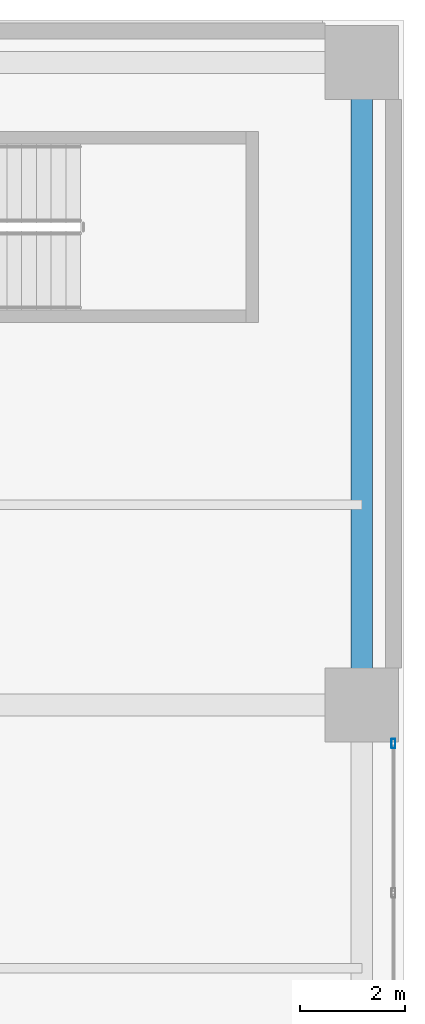
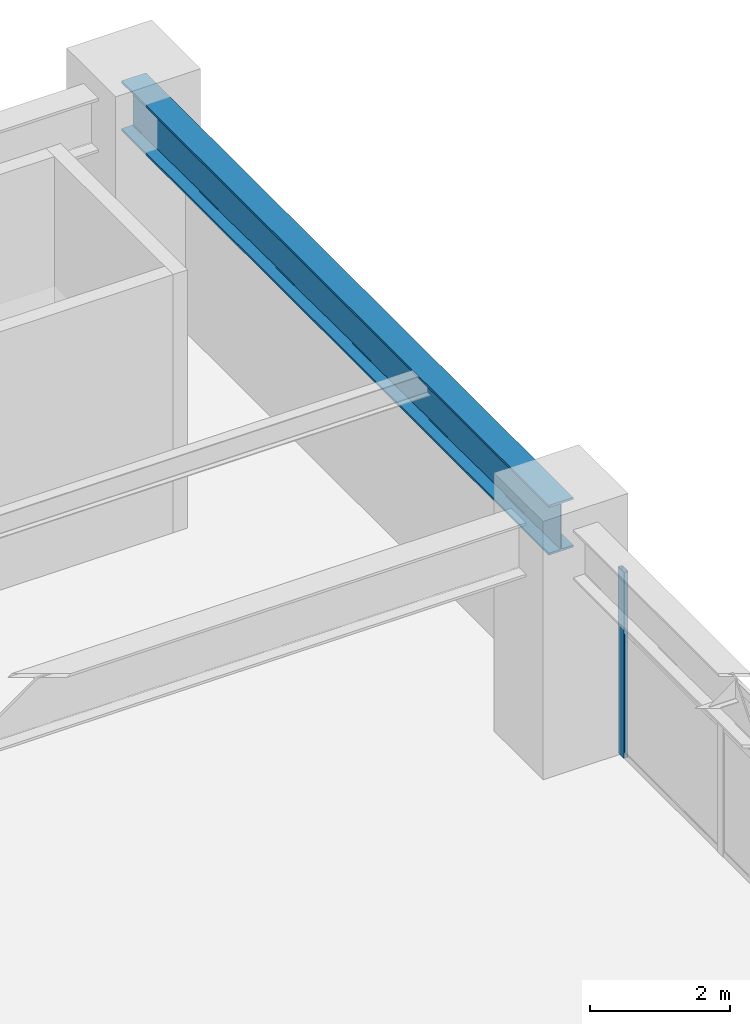
# One storey, part 18 of 28: 1 beam, 1 member, 1 element without a shape of its own.
"""IFC4 building model written with IfcOpenShell, lengths in metres."""

from ifc_helpers import new_model, si_unit, direction, frame, origin, origin_2d, place, context, subcontext, project, spatial, hollow_rectangle, i_section, extrude, material, layer, layer_set, material_profile, profile_set, type_object, element, aggregate, save


model = new_model("IFC4")

# Units and contexts
model_context = context("Model", 3, precision=1e-05, world=origin(), true_north=direction((0.0, 1.0)))
body_context = subcontext(model_context, "Body", "Model", "MODEL_VIEW")
ifc_project = project(units=[si_unit("LENGTHUNIT", "METRE"), si_unit("AREAUNIT", "SQUARE_METRE"), si_unit("VOLUMEUNIT", "CUBIC_METRE"), si_unit("PLANEANGLEUNIT", "RADIAN"), si_unit("MASSUNIT", "GRAM", prefix="KILO")], contexts=[model_context])

# Site, building, storey
site_placement = place(None, origin())
site = spatial("IfcSite", under=ifc_project, at=site_placement, CompositionType="ELEMENT")
building_placement = place(site_placement, origin())
building = spatial("IfcBuilding", under=site, at=building_placement, Name="Soratama Intermodal Tower", CompositionType="ELEMENT")
storey_placement = place(building_placement, frame((0.0, 0.0, 16.199951171875)))
storey = spatial("IfcBuildingStorey", under=building, at=storey_placement, Name="L03", CompositionType="ELEMENT", Elevation=16.199951171875)

# Beam
ifc_material_1 = material(Name="Structural steel ASTM A992 Grade 50", Category="steel")
ifc_material_profile_1 = material_profile(ifc_material_1, i_section(OverallWidth=0.403076171875, OverallDepth=0.867919921875, WebThickness=0.02099609375, FlangeThickness=0.03564453125, FilletRadius=0.01806640625, at=origin_2d()), Name="W33X241")
ifc_profile_set_1 = profile_set([ifc_material_profile_1], Name="Structural steel ASTM A992 Grade 50")
beam_type = type_object("IfcBeamType", Name="BM-POD-EXT-W33", PredefinedType="BEAM", material=ifc_profile_set_1)
beam_placement = place(storey_placement, frame((83.199951171875, 35.0, 3.74609375), z_axis=(0.0, 1.0, 0.0), x_axis=(-1.0, 0.0, 0.0)))
element("IfcBeam", 1, at=beam_placement, inside=storey, type_object=beam_type, Name="L03 Station Girder Y4-4", PredefinedType="BEAM", context=body_context, shape_type="SweptSolid", body=[
    extrude(i_section(OverallWidth=0.403076171875, OverallDepth=0.867919921875, WebThickness=0.02099609375, FlangeThickness=0.03564453125, FilletRadius=0.01806640625, at=origin_2d()), origin(), (0.0, 0.0, 1.0), 12.199951171875),
])

# Curtain wall, member
ifc_material_2 = material(Name="Double-glazed aluminium curtain wall", Category="aluminium")
ifc_layer = layer(ifc_material_2, 0.159912109375)
ifc_layer_set = layer_set([ifc_layer], Name="Double-glazed aluminium curtain wall")
curtain_wall_type = type_object("IfcCurtainWallType", Name="CW-SYS-1", PredefinedType="NOTDEFINED", material=ifc_layer_set)
curtain_wall_placement = place(storey_placement, origin())
curtain_wall = element("IfcCurtainWall", 2, at=curtain_wall_placement, inside=storey, type_object=curtain_wall_type, Name="L03 Station Curtain Wall E2", PredefinedType="NOTDEFINED")
ifc_material_3 = material(Name="Anodised aluminium AA 6063-T6", Category="aluminium")
ifc_material_profile_2 = material_profile(ifc_material_3, hollow_rectangle(XDim=0.074951171875, YDim=0.179931640625, WallThickness=0.006103515625, InnerFilletRadius=0.006103515625, OuterFilletRadius=0.011962890625, at=origin_2d()), Name="CWM180X75X6")
ifc_profile_set_2 = profile_set([ifc_material_profile_2], Name="Anodised aluminium AA 6063-T6")
member_type = type_object("IfcMemberType", Name="MT-CWM-1", PredefinedType="MULLION", material=ifc_profile_set_2)
member_placement = place(storey_placement, frame((83.800048828125, 34.27001953125, 0.0), z_axis=(0.0, 0.0, 1.0), x_axis=(-1.0, 0.0, 0.0)))
member = element("IfcMember", 3, at=member_placement, type_object=member_type, Name="CW-1 mullion 4", PredefinedType="MULLION", context=body_context, shape_type="SweptSolid", body=[
    extrude(hollow_rectangle(XDim=0.074951171875, YDim=0.179931640625, WallThickness=0.006103515625, InnerFilletRadius=0.006103515625, OuterFilletRadius=0.011962890625, at=origin_2d()), origin(), (0.0, 0.0, 1.0), 3.236083984375),
])
aggregate(curtain_wall, [member])

save(model, "model.ifc")
